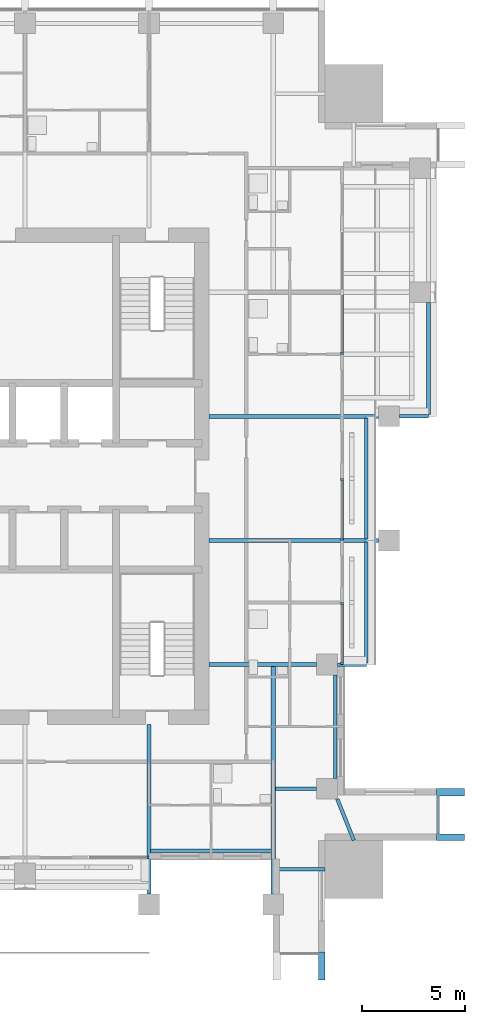
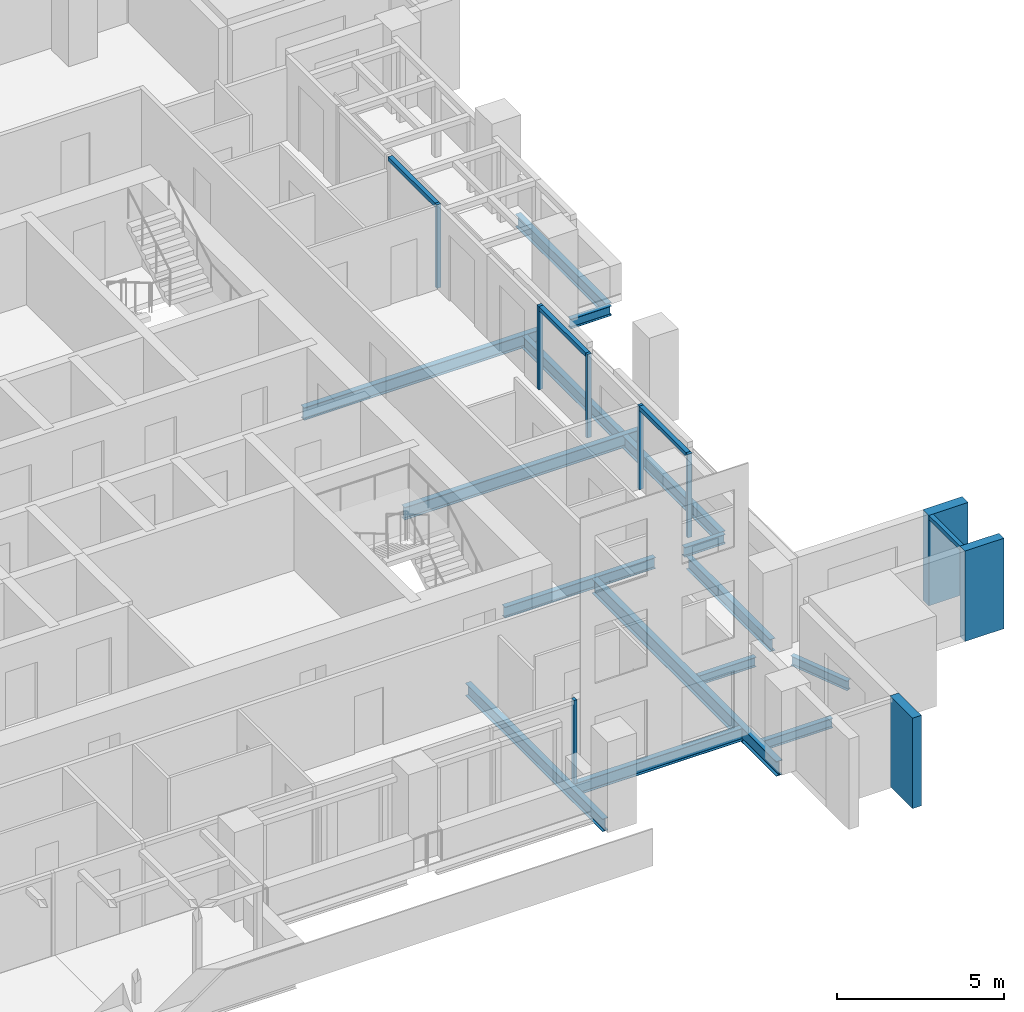
# One storey, part 4 of 16: 15 beams, 13 members, 6 elements without a shape of their own.
"""IFC4 building model written with IfcOpenShell, lengths in metres."""

from ifc_helpers import new_model, si_unit, direction, frame, origin, origin_2d, place, context, subcontext, project, spatial, rectangle, i_section, extrude, material, material_profile, profile_set, type_object, element, aggregate, save


model = new_model("IFC4")

# Units and contexts
model_context = context("Model", 3, precision=1e-05, world=origin(), true_north=direction((0.0, 1.0)))
body_context = subcontext(model_context, "Body", "Model", "MODEL_VIEW")
ifc_project = project(units=[si_unit("LENGTHUNIT", "METRE"), si_unit("AREAUNIT", "SQUARE_METRE"), si_unit("VOLUMEUNIT", "CUBIC_METRE"), si_unit("PLANEANGLEUNIT", "RADIAN"), si_unit("MASSUNIT", "GRAM", prefix="KILO")], contexts=[model_context])

# Site, building, storey
site_placement = place(None, origin())
site = spatial("IfcSite", under=ifc_project, at=site_placement, CompositionType="ELEMENT")
building_placement = place(site_placement, origin())
building = spatial("IfcBuilding", under=site, at=building_placement, Name="Amberfall Residences", CompositionType="ELEMENT")
storey_placement = place(building_placement, frame((0.0, 0.0, 164.800048828125)))
storey = spatial("IfcBuildingStorey", under=building, at=storey_placement, Name="L44", CompositionType="ELEMENT", Elevation=164.800048828125)

# Curtain wall, member
ifc_material_1 = material(Name="Bronze anodised aluminium and glass", Category="aluminium")
curtain_wall_type_1 = type_object("IfcCurtainWallType", Name="Curtain wall CW1 tower unit", PredefinedType="USERDEFINED", material=ifc_material_1)
curtain_wall_1_placement = place(storey_placement, origin())
curtain_wall_1 = element("IfcCurtainWall", 1, at=curtain_wall_1_placement, inside=storey, type_object=curtain_wall_type_1, Name="Curtain wall L44 E E1", ObjectType="UNITISED CURTAIN WALL", PredefinedType="USERDEFINED")
ifc_material_2 = material(Name="Bronze anodised aluminium", Category="aluminium")
ifc_material_profile_1 = material_profile(ifc_material_2, rectangle(XDim=0.14990234375, YDim=0.14990234375, at=origin_2d()), Name="CW1 transom 150 x 150 bronze")
ifc_profile_set_1 = profile_set([ifc_material_profile_1], Name="Bronze anodised aluminium")
member_type_1 = type_object("IfcMemberType", Name="CW1 transom 150 x 150 bronze", PredefinedType="USERDEFINED", material=ifc_profile_set_1)
member_1_placement = place(storey_placement, frame((97.574951171875, 28.199951171875, 2.974853515625), z_axis=(0.0, 1.0, 0.0), x_axis=(-1.0, 0.0, 0.0)))
member_1 = element("IfcMember", 2, at=member_1_placement, type_object=member_type_1, Name="CW1 transom 1.1", ObjectType="TRANSOM", PredefinedType="USERDEFINED", context=body_context, shape_type="SweptSolid", body=[
    extrude(rectangle(XDim=0.14990234375, YDim=0.14990234375, at=origin_2d()), origin(), (0.0, 0.0, 1.0), 1.85009765625),
])

curtain_wall_type_2 = type_object("IfcCurtainWallType", Name="Curtain wall CW3 sky garden glazing", PredefinedType="USERDEFINED", material=ifc_material_1)
curtain_wall_2_placement = place(storey_placement, origin())
curtain_wall_2 = element("IfcCurtainWall", 3, at=curtain_wall_2_placement, inside=storey, type_object=curtain_wall_type_2, Name="Curtain wall L44 S S6", ObjectType="UNITISED CURTAIN WALL", PredefinedType="USERDEFINED")
ifc_material_profile_2 = material_profile(ifc_material_2, rectangle(XDim=0.14990234375, YDim=0.10009765625, at=origin_2d()), Name="CW3 mullion 100 x 150 bronze")
ifc_profile_set_2 = profile_set([ifc_material_profile_2], Name="Bronze anodised aluminium")
member_type_2 = type_object("IfcMemberType", Name="CW3 mullion 100 x 150 bronze", PredefinedType="MULLION", material=ifc_profile_set_2)
member_2_placement = place(storey_placement, frame((83.550048828125, 27.074951171875, 0.0), z_axis=(0.0, 0.0, 1.0), x_axis=(0.0, 1.0, 0.0)))
member_2 = element("IfcMember", 4, at=member_2_placement, type_object=member_type_2, Name="CW3 mullion 2", PredefinedType="MULLION", context=body_context, shape_type="SweptSolid", body=[
    extrude(rectangle(XDim=0.14990234375, YDim=0.10009765625, at=origin_2d()), origin(), (0.0, 0.0, 1.0), 3.050048828125),
])
aggregate(curtain_wall_2, [member_2])

# Curtain wall, members
curtain_wall_3_placement = place(storey_placement, origin())
curtain_wall_3 = element("IfcCurtainWall", 5, at=curtain_wall_3_placement, inside=storey, type_object=curtain_wall_type_2, Name="Curtain wall L44 E E4", ObjectType="UNITISED CURTAIN WALL", PredefinedType="USERDEFINED")
member_3_placement = place(storey_placement, frame((92.925048828125, 36.449951171875, 0.0), z_axis=(0.0, 0.0, 1.0), x_axis=(-1.0, 0.0, 0.0)))
member_3 = element("IfcMember", 6, at=member_3_placement, type_object=member_type_2, Name="CW3 mullion 1", PredefinedType="MULLION", context=body_context, shape_type="SweptSolid", body=[
    extrude(rectangle(XDim=0.14990234375, YDim=0.10009765625, at=origin_2d()), origin(), (0.0, 0.0, 1.0), 3.050048828125),
])
member_4_placement = place(storey_placement, frame((92.925048828125, 39.35009765625, 0.0), z_axis=(0.0, 0.0, 1.0), x_axis=(-1.0, 0.0, 0.0)))
member_4 = element("IfcMember", 7, at=member_4_placement, type_object=member_type_2, Name="CW3 mullion 2", PredefinedType="MULLION", context=body_context, shape_type="SweptSolid", body=[
    extrude(rectangle(XDim=0.14990234375, YDim=0.10009765625, at=origin_2d()), origin(), (0.0, 0.0, 1.0), 3.050048828125),
])

curtain_wall_4_placement = place(storey_placement, origin())
curtain_wall_4 = element("IfcCurtainWall", 8, at=curtain_wall_4_placement, inside=storey, type_object=curtain_wall_type_2, Name="Curtain wall L44 E E5", ObjectType="UNITISED CURTAIN WALL", PredefinedType="USERDEFINED")
member_5_placement = place(storey_placement, frame((92.925048828125, 42.449951171875, 0.0), z_axis=(0.0, 0.0, 1.0), x_axis=(-1.0, 0.0, 0.0)))
member_5 = element("IfcMember", 9, at=member_5_placement, type_object=member_type_2, Name="CW3 mullion 1", PredefinedType="MULLION", context=body_context, shape_type="SweptSolid", body=[
    extrude(rectangle(XDim=0.14990234375, YDim=0.10009765625, at=origin_2d()), origin(), (0.0, 0.0, 1.0), 3.050048828125),
])
member_6_placement = place(storey_placement, frame((92.925048828125, 45.35009765625, 0.0), z_axis=(0.0, 0.0, 1.0), x_axis=(-1.0, 0.0, 0.0)))
member_6 = element("IfcMember", 10, at=member_6_placement, type_object=member_type_2, Name="CW3 mullion 2", PredefinedType="MULLION", context=body_context, shape_type="SweptSolid", body=[
    extrude(rectangle(XDim=0.14990234375, YDim=0.10009765625, at=origin_2d()), origin(), (0.0, 0.0, 1.0), 3.050048828125),
])

# Curtain wall, member
curtain_wall_5_placement = place(storey_placement, origin())
curtain_wall_5 = element("IfcCurtainWall", 11, at=curtain_wall_5_placement, inside=storey, type_object=curtain_wall_type_2, Name="Curtain wall L44 E E6", ObjectType="UNITISED CURTAIN WALL", PredefinedType="USERDEFINED")
member_7_placement = place(storey_placement, frame((92.925048828125, 51.449951171875, 0.0), z_axis=(0.0, 0.0, 1.0), x_axis=(-1.0, 0.0, 0.0)))
member_7 = element("IfcMember", 12, at=member_7_placement, type_object=member_type_2, Name="CW3 mullion 1", PredefinedType="MULLION", context=body_context, shape_type="SweptSolid", body=[
    extrude(rectangle(XDim=0.14990234375, YDim=0.10009765625, at=origin_2d()), origin(), (0.0, 0.0, 1.0), 3.050048828125),
])

# Member
ifc_material_profile_3 = material_profile(ifc_material_2, rectangle(XDim=0.14990234375, YDim=0.14990234375, at=origin_2d()), Name="CW3 transom 150 x 150 bronze")
ifc_profile_set_3 = profile_set([ifc_material_profile_3], Name="Bronze anodised aluminium")
member_type_3 = type_object("IfcMemberType", Name="CW3 transom 150 x 150 bronze", PredefinedType="USERDEFINED", material=ifc_profile_set_3)
member_8_placement = place(storey_placement, frame((92.925048828125, 36.5, 2.974853515625), z_axis=(0.0, 1.0, 0.0), x_axis=(-1.0, 0.0, 0.0)))
member_8 = element("IfcMember", 13, at=member_8_placement, type_object=member_type_3, Name="CW3 transom 1.1", ObjectType="TRANSOM", PredefinedType="USERDEFINED", context=body_context, shape_type="SweptSolid", body=[
    extrude(rectangle(XDim=0.14990234375, YDim=0.14990234375, at=origin_2d()), origin(), (0.0, 0.0, 1.0), 2.800048828125),
])

aggregate(curtain_wall_3, [member_3, member_4, member_8])

member_9_placement = place(storey_placement, frame((92.925048828125, 42.5, 2.974853515625), z_axis=(0.0, 1.0, 0.0), x_axis=(-1.0, 0.0, 0.0)))
member_9 = element("IfcMember", 14, at=member_9_placement, type_object=member_type_3, Name="CW3 transom 1.1", ObjectType="TRANSOM", PredefinedType="USERDEFINED", context=body_context, shape_type="SweptSolid", body=[
    extrude(rectangle(XDim=0.14990234375, YDim=0.14990234375, at=origin_2d()), origin(), (0.0, 0.0, 1.0), 2.800048828125),
])

aggregate(curtain_wall_4, [member_5, member_6, member_9])

member_10_placement = place(storey_placement, frame((92.925048828125, 51.5, 2.974853515625), z_axis=(0.0, 1.0, 0.0), x_axis=(-1.0, 0.0, 0.0)))
member_10 = element("IfcMember", 15, at=member_10_placement, type_object=member_type_3, Name="CW3 transom 1.1", ObjectType="TRANSOM", PredefinedType="USERDEFINED", context=body_context, shape_type="SweptSolid", body=[
    extrude(rectangle(XDim=0.14990234375, YDim=0.14990234375, at=origin_2d()), origin(), (0.0, 0.0, 1.0), 2.800048828125),
])

aggregate(curtain_wall_5, [member_7, member_10])

# Beams
ifc_material_3 = material(Name="Steel S355", Category="steel")
ifc_material_profile_4 = material_profile(ifc_material_3, i_section(OverallWidth=0.171142578125, OverallDepth=0.351318359375, WebThickness=0.007080078125, FlangeThickness=0.009765625, FilletRadius=0.01025390625, at=origin_2d()), Name="UB 356x171x45")
ifc_profile_set_4 = profile_set([ifc_material_profile_4], Name="Steel S355")
beam_type_1 = type_object("IfcBeamType", Name="Cantilever girder UB 356x171x45", PredefinedType="BEAM", material=ifc_profile_set_4)
for number, where, z_axis, x_axis, name in (
    (16, (92.699951171875, 36.39990234375, -0.42578125), (1.0, 0.0, 0.0), (0.0, 1.0, 0.0), "Cantilever girder B8 L44 18"),
    (17, (95.699951171875, 48.39990234375, -0.42578125), (1.0, 0.0, 0.0), (0.0, 1.0, 0.0), "Cantilever girder B8 L44 19"),
):
    element("IfcBeam", number, at=place(storey_placement, frame(where, z_axis=z_axis, x_axis=x_axis)), inside=storey, type_object=beam_type_1, Name=name, PredefinedType="BEAM", context=body_context, shape_type="SweptSolid", body=[
        extrude(i_section(OverallWidth=0.171142578125, OverallDepth=0.351318359375, WebThickness=0.007080078125, FlangeThickness=0.009765625, FilletRadius=0.01025390625, at=origin_2d()), origin(), (0.0, 0.0, 1.0), 1.400146484375),
    ])

# Curtain wall, member
curtain_wall_6_placement = place(storey_placement, origin())
curtain_wall_6 = element("IfcCurtainWall", 18, at=curtain_wall_6_placement, inside=storey, type_object=curtain_wall_type_1, Name="Curtain wall L44 S S9", ObjectType="UNITISED CURTAIN WALL", PredefinedType="USERDEFINED")
ifc_material_profile_5 = material_profile(ifc_material_2, rectangle(XDim=1.35009765625, YDim=0.300048828125, at=origin_2d()), Name="Corner fin 300 x 1350 bronze")
ifc_profile_set_5 = profile_set([ifc_material_profile_5], Name="Bronze anodised aluminium")
member_type_4 = type_object("IfcMemberType", Name="Corner fin 300 x 1350 bronze", PredefinedType="MULLION", material=ifc_profile_set_5)
member_11_placement = place(storey_placement, frame((91.949951171875, 21.824951171875, -0.25), z_axis=(0.0, 0.0, 1.0), x_axis=(0.0, 1.0, 0.0)))
member_11 = element("IfcMember", 19, at=member_11_placement, type_object=member_type_4, Name="CW FIN 2", PredefinedType="MULLION", context=body_context, shape_type="SweptSolid", body=[
    extrude(rectangle(XDim=1.35009765625, YDim=0.300048828125, at=origin_2d()), origin(), (0.0, 0.0, 1.0), 3.300048828125),
])
aggregate(curtain_wall_6, [member_11])

# Member
member_12_placement = place(storey_placement, frame((98.175048828125, 28.050048828125, -0.25), z_axis=(0.0, 0.0, 1.0), x_axis=(-1.0, 0.0, 0.0)))
member_12 = element("IfcMember", 20, at=member_12_placement, type_object=member_type_4, Name="CW FIN 1", PredefinedType="MULLION", context=body_context, shape_type="SweptSolid", body=[
    extrude(rectangle(XDim=1.35009765625, YDim=0.300048828125, at=origin_2d()), origin(), (0.0, 0.0, 1.0), 3.300048828125),
])

# Beams
ifc_material_profile_6 = material_profile(ifc_material_3, i_section(OverallWidth=0.18994140625, OverallDepth=0.453369140625, WebThickness=0.008544921875, FlangeThickness=0.0126953125, FilletRadius=0.01025390625, at=origin_2d()), Name="UB 457x191x67")
ifc_profile_set_6 = profile_set([ifc_material_profile_6], Name="Steel S355")
beam_type_2 = type_object("IfcBeamType", Name="Edge beam UB 457x191x67", PredefinedType="SPANDREL", material=ifc_profile_set_6)
beam_1_placement = place(storey_placement, frame((83.679931640625, 27.39990234375, -0.476806640625), z_axis=(1.0, 0.0, 0.0), x_axis=(0.0, 1.0, 0.0)))
element("IfcBeam", 21, at=beam_1_placement, inside=storey, type_object=beam_type_2, Name="Edge beam B1 L44 05", PredefinedType="SPANDREL", context=body_context, shape_type="SweptSolid", body=[
    extrude(i_section(OverallWidth=0.18994140625, OverallDepth=0.453369140625, WebThickness=0.008544921875, FlangeThickness=0.0126953125, FilletRadius=0.01025390625, at=origin_2d()), origin(), (0.0, 0.0, 1.0), 5.840087890625),
])
beam_2_placement = place(storey_placement, frame((92.60009765625, 30.89990234375, -0.476806640625), z_axis=(0.0, 1.0, 0.0), x_axis=(-1.0, 0.0, 0.0)))
element("IfcBeam", 22, at=beam_2_placement, inside=storey, type_object=beam_type_2, Name="Edge beam B1 L44 13", PredefinedType="SPANDREL", context=body_context, shape_type="SweptSolid", body=[
    extrude(i_section(OverallWidth=0.18994140625, OverallDepth=0.453369140625, WebThickness=0.008544921875, FlangeThickness=0.0126953125, FilletRadius=0.01025390625, at=origin_2d()), origin(), (0.0, 0.0, 1.0), 5.0),
])
for number, where, z_axis, x_axis, name in (
    (23, (94.10009765625, 36.47998046875, -0.476806640625), (0.0, 1.0, 0.0), (-1.0, 0.0, 0.0), "Edge beam B1 L44 14"),
    (24, (94.10009765625, 42.47998046875, -0.476806640625), (0.0, 1.0, 0.0), (-1.0, 0.0, 0.0), "Edge beam B1 L44 15"),
):
    element("IfcBeam", number, at=place(storey_placement, frame(where, z_axis=z_axis, x_axis=x_axis)), inside=storey, type_object=beam_type_2, Name=name, PredefinedType="SPANDREL", context=body_context, shape_type="SweptSolid", body=[
        extrude(i_section(OverallWidth=0.18994140625, OverallDepth=0.453369140625, WebThickness=0.008544921875, FlangeThickness=0.0126953125, FilletRadius=0.01025390625, at=origin_2d()), origin(), (0.0, 0.0, 1.0), 5.840087890625),
    ])
beam_3_placement = place(storey_placement, frame((97.10009765625, 48.47998046875, -0.476806640625), z_axis=(0.0, 1.0, 0.0), x_axis=(-1.0, 0.0, 0.0)))
element("IfcBeam", 25, at=beam_3_placement, inside=storey, type_object=beam_type_2, Name="Edge beam B1 L44 16", PredefinedType="SPANDREL", context=body_context, shape_type="SweptSolid", body=[
    extrude(i_section(OverallWidth=0.18994140625, OverallDepth=0.453369140625, WebThickness=0.008544921875, FlangeThickness=0.0126953125, FilletRadius=0.01025390625, at=origin_2d()), origin(), (0.0, 0.0, 1.0), 5.419921875),
])

# Member
ifc_material_profile_7 = material_profile(ifc_material_2, rectangle(XDim=1.35009765625, YDim=0.35009765625, at=origin_2d()), Name="Fin 350 x 1350 bronze")
ifc_profile_set_7 = profile_set([ifc_material_profile_7], Name="Bronze anodised aluminium")
member_type_5 = type_object("IfcMemberType", Name="Fin 350 x 1350 bronze", PredefinedType="MULLION", material=ifc_profile_set_7)
member_13_placement = place(storey_placement, frame((98.175048828125, 30.22509765625, -0.25), z_axis=(0.0, 0.0, 1.0), x_axis=(-1.0, 0.0, 0.0)))
member_13 = element("IfcMember", 26, at=member_13_placement, type_object=member_type_5, Name="CW FIN 2", PredefinedType="MULLION", context=body_context, shape_type="SweptSolid", body=[
    extrude(rectangle(XDim=1.35009765625, YDim=0.35009765625, at=origin_2d()), origin(), (0.0, 0.0, 1.0), 3.300048828125),
])

aggregate(curtain_wall_1, [member_12, member_13, member_1])

# Beams
ifc_material_profile_8 = material_profile(ifc_material_3, i_section(OverallWidth=0.171142578125, OverallDepth=0.351318359375, WebThickness=0.007080078125, FlangeThickness=0.009765625, FilletRadius=0.01025390625, at=origin_2d()), Name="UB 356x171x45")
ifc_profile_set_8 = profile_set([ifc_material_profile_8], Name="Steel S355")
beam_type_3 = type_object("IfcBeamType", Name="Floor girder UB 356x171x45", PredefinedType="BEAM", material=ifc_profile_set_8)
beam_4_placement = place(storey_placement, frame((91.699951171875, 30.39990234375, -0.42578125), z_axis=(-1.0, 0.0, 0.0), x_axis=(0.0, -1.0, 0.0)))
element("IfcBeam", 27, at=beam_4_placement, inside=storey, type_object=beam_type_3, Name="Floor girder B11 L44 20", PredefinedType="BEAM", context=body_context, shape_type="SweptSolid", body=[
    extrude(i_section(OverallWidth=0.171142578125, OverallDepth=0.351318359375, WebThickness=0.007080078125, FlangeThickness=0.009765625, FilletRadius=0.01025390625, at=origin_2d()), origin(), (0.0, 0.0, 1.0), 1.97998046875),
])
ifc_material_profile_9 = material_profile(ifc_material_3, i_section(OverallWidth=0.177734375, OverallDepth=0.402587890625, WebThickness=0.0078125, FlangeThickness=0.010986328125, FilletRadius=0.01025390625, at=origin_2d()), Name="UB 406x178x54")
ifc_profile_set_9 = profile_set([ifc_material_profile_9], Name="Steel S355")
beam_type_4 = type_object("IfcBeamType", Name="Floor girder UB 406x178x54", PredefinedType="BEAM", material=ifc_profile_set_9)
beam_5_placement = place(storey_placement, frame((91.699951171875, 36.39990234375, -0.451416015625), z_axis=(-1.0, 0.0, 0.0), x_axis=(0.0, -1.0, 0.0)))
element("IfcBeam", 28, at=beam_5_placement, inside=storey, type_object=beam_type_4, Name="Floor girder B4 L44 21", PredefinedType="BEAM", context=body_context, shape_type="SweptSolid", body=[
    extrude(i_section(OverallWidth=0.177734375, OverallDepth=0.402587890625, WebThickness=0.0078125, FlangeThickness=0.010986328125, FilletRadius=0.01025390625, at=origin_2d()), origin(), (0.0, 0.0, 1.0), 5.199951171875),
])
ifc_material_profile_10 = material_profile(ifc_material_3, i_section(OverallWidth=0.19140625, OverallDepth=0.4599609375, WebThickness=0.010009765625, FlangeThickness=0.01611328125, FilletRadius=0.01025390625, at=origin_2d()), Name="UB 457x191x82")
ifc_profile_set_10 = profile_set([ifc_material_profile_10], Name="Steel S355")
beam_type_5 = type_object("IfcBeamType", Name="Floor girder UB 457x191x82", PredefinedType="BEAM", material=ifc_profile_set_10)
for number, where, z_axis, x_axis, name in (
    (29, (83.60009765625, 25.300048828125, -0.47998046875), (0.0, 1.0, 0.0), (-1.0, 0.0, 0.0), "Floor girder B10 L44 11"),
    (30, (94.699951171875, 42.39990234375, -0.47998046875), (-1.0, 0.0, 0.0), (0.0, -1.0, 0.0), "Floor girder B10 L44 22"),
    (31, (94.699951171875, 48.39990234375, -0.47998046875), (-1.0, 0.0, 0.0), (0.0, -1.0, 0.0), "Floor girder B10 L44 23"),
):
    element("IfcBeam", number, at=place(storey_placement, frame(where, z_axis=z_axis, x_axis=x_axis)), inside=storey, type_object=beam_type_5, Name=name, PredefinedType="BEAM", context=body_context, shape_type="SweptSolid", body=[
        extrude(i_section(OverallWidth=0.19140625, OverallDepth=0.4599609375, WebThickness=0.010009765625, FlangeThickness=0.01611328125, FilletRadius=0.01025390625, at=origin_2d()), origin(), (0.0, 0.0, 1.0), 8.199951171875),
    ])
ifc_material_profile_11 = material_profile(ifc_material_3, i_section(OverallWidth=0.210693359375, OverallDepth=0.53955078125, WebThickness=0.01171875, FlangeThickness=0.018798828125, FilletRadius=0.0126953125, at=origin_2d()), Name="UB 533x210x109")
ifc_profile_set_11 = profile_set([ifc_material_profile_11], Name="Steel S355")
beam_type_6 = type_object("IfcBeamType", Name="Floor girder UB 533x210x109", PredefinedType="BEAM", material=ifc_profile_set_11)
beam_6_placement = place(storey_placement, frame((89.60009765625, 25.300048828125, -0.519775390625), z_axis=(0.0, 1.0, 0.0), x_axis=(-1.0, 0.0, 0.0)))
element("IfcBeam", 32, at=beam_6_placement, inside=storey, type_object=beam_type_6, Name="Floor girder B2 L44 12", PredefinedType="BEAM", context=body_context, shape_type="SweptSolid", body=[
    extrude(i_section(OverallWidth=0.210693359375, OverallDepth=0.53955078125, WebThickness=0.01171875, FlangeThickness=0.018798828125, FilletRadius=0.0126953125, at=origin_2d()), origin(), (0.0, 0.0, 1.0), 11.01611328125),
])
ifc_material_profile_12 = material_profile(ifc_material_3, i_section(OverallWidth=0.171142578125, OverallDepth=0.351318359375, WebThickness=0.007080078125, FlangeThickness=0.009765625, FilletRadius=0.01025390625, at=origin_2d()), Name="UB 356x171x45")
ifc_profile_set_12 = profile_set([ifc_material_profile_12], Name="Steel S355")
beam_type_7 = type_object("IfcBeamType", Name="Link beam UB 356x171x45", PredefinedType="BEAM", material=ifc_profile_set_12)
beam_7_placement = place(storey_placement, frame((92.10009765625, 26.5, -0.42578125), z_axis=(-1.0, 0.0, 0.0), x_axis=(0.0, -1.0, 0.0)))
element("IfcBeam", 33, at=beam_7_placement, inside=storey, type_object=beam_type_7, Name="Link beam B7 L44 50", PredefinedType="BEAM", context=body_context, shape_type="SweptSolid", body=[
    extrude(i_section(OverallWidth=0.171142578125, OverallDepth=0.351318359375, WebThickness=0.007080078125, FlangeThickness=0.009765625, FilletRadius=0.01025390625, at=origin_2d()), origin(), (0.0, 0.0, 1.0), 2.405517578125),
])
beam_8_placement = place(storey_placement, frame((93.5, 27.89990234375, -0.42578125), z_axis=(-0.37141021739, 0.928468874232, 0.0), x_axis=(-0.928468874232, -0.37141021739, 0.0)))
element("IfcBeam", 34, at=beam_8_placement, inside=storey, type_object=beam_type_7, Name="Link beam B7 L44 51", PredefinedType="BEAM", context=body_context, shape_type="SweptSolid", body=[
    extrude(i_section(OverallWidth=0.171142578125, OverallDepth=0.351318359375, WebThickness=0.007080078125, FlangeThickness=0.009765625, FilletRadius=0.01025390625, at=origin_2d()), origin(), (0.0, 0.0, 1.0), 2.154052734375),
])

save(model, "model.ifc")
